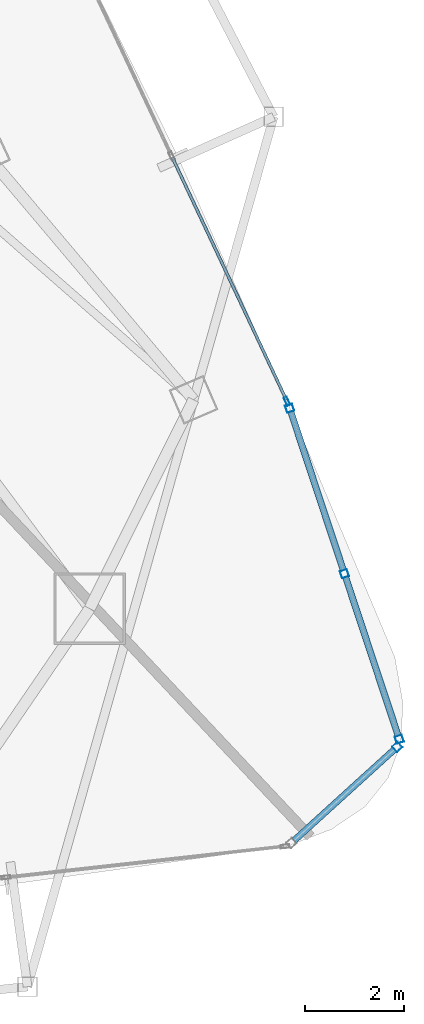
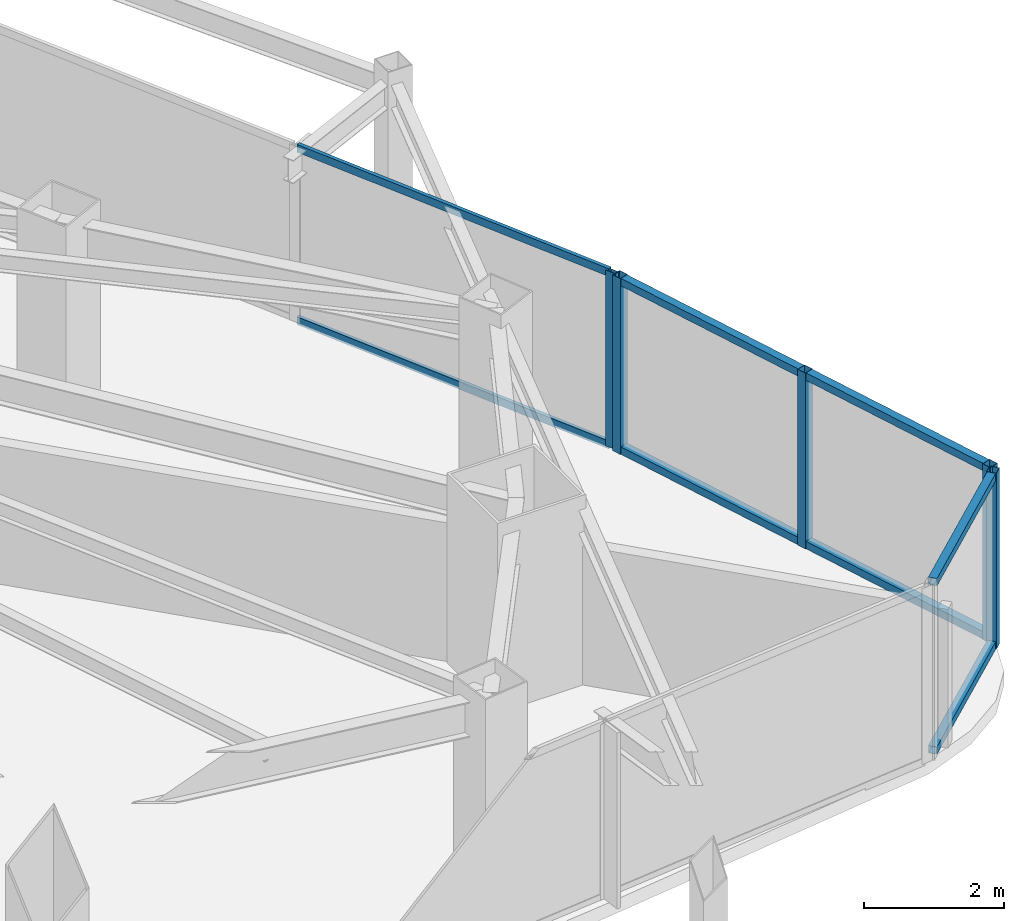
# One storey, part 16 of 31: 13 members, 3 elements without a shape of their own.
"""IFC4 building model written with IfcOpenShell, lengths in metres."""

from ifc_helpers import new_model, si_unit, direction, frame, origin, origin_2d, place, context, subcontext, project, spatial, hollow_rectangle, extrude, material, layer, layer_set, material_profile, profile_set, type_object, element, aggregate, save


model = new_model("IFC4")

# Units and contexts
model_context = context("Model", 3, precision=1e-05, world=origin(), true_north=direction((0.0, 1.0)))
body_context = subcontext(model_context, "Body", "Model", "MODEL_VIEW")
ifc_project = project(units=[si_unit("LENGTHUNIT", "METRE"), si_unit("AREAUNIT", "SQUARE_METRE"), si_unit("VOLUMEUNIT", "CUBIC_METRE"), si_unit("PLANEANGLEUNIT", "RADIAN"), si_unit("MASSUNIT", "GRAM", prefix="KILO")], contexts=[model_context])

# Site, building, storey
site_placement = place(None, origin())
site = spatial("IfcSite", under=ifc_project, at=site_placement, CompositionType="ELEMENT")
building_placement = place(site_placement, origin())
building = spatial("IfcBuilding", under=site, at=building_placement, Name="Orvanel Arch Residences", CompositionType="ELEMENT")
storey_placement = place(building_placement, frame((0.0, 0.0, 153.949951171875)))
storey = spatial("IfcBuildingStorey", under=building, at=storey_placement, Name="L43", CompositionType="ELEMENT", Elevation=153.949951171875)

# Curtain wall, member
ifc_material = material(Name="Bronze-anodised aluminium AA6063-T6", Category="aluminium")
ifc_layer_1 = layer(ifc_material, 0.18994140625)
ifc_layer_set_1 = layer_set([ifc_layer_1], Name="Bronze-anodised aluminium AA6063-T6")
curtain_wall_type_1 = type_object("IfcCurtainWallType", Name="CW5-CRN-SYS", PredefinedType="NOTDEFINED", material=ifc_layer_set_1)
curtain_wall_1_placement = place(storey_placement, origin())
curtain_wall_1 = element("IfcCurtainWall", 1, at=curtain_wall_1_placement, inside=storey, type_object=curtain_wall_type_1, Name="L43 CW5-CRN-SYS Unitised Curtain Wall", PredefinedType="NOTDEFINED")
ifc_material_profile_1 = material_profile(ifc_material, hollow_rectangle(XDim=0.14990234375, YDim=0.14990234375, WallThickness=0.0048828125, at=origin_2d()), Name="ALU150x150x5")
ifc_profile_set_1 = profile_set([ifc_material_profile_1], Name="Bronze-anodised aluminium AA6063-T6")
member_type_1 = type_object("IfcMemberType", Name="MUL-150x150", PredefinedType="MULLION", material=ifc_profile_set_1)
member_1_placement = place(storey_placement, frame((58.032470703125, 7.552490234375, 0.0), z_axis=(0.0, 0.0, 1.0), x_axis=(-0.672329748621, 0.740251787651, 0.0)))
member_1 = element("IfcMember", 2, at=member_1_placement, type_object=member_type_1, Name="CW-S5 mullion 2", PredefinedType="MULLION", context=body_context, shape_type="SweptSolid", body=[
    extrude(hollow_rectangle(XDim=0.14990234375, YDim=0.14990234375, WallThickness=0.0048828125, at=origin_2d()), origin(), (0.0, 0.0, 1.0), 3.06005859375),
])

# Curtain wall, members
curtain_wall_2_placement = place(storey_placement, origin())
curtain_wall_2 = element("IfcCurtainWall", 3, at=curtain_wall_2_placement, inside=storey, type_object=curtain_wall_type_1, Name="L43 CW5-CRN-SYS Unitised Curtain Wall", PredefinedType="NOTDEFINED")
member_2_placement = place(storey_placement, frame((58.073486328125, 7.706298828125, 0.0), z_axis=(0.0, 0.0, 1.0), x_axis=(-0.949264059882, -0.314480118, 0.0)))
member_2 = element("IfcMember", 4, at=member_2_placement, type_object=member_type_1, Name="CW-S5 mullion 1", PredefinedType="MULLION", context=body_context, shape_type="SweptSolid", body=[
    extrude(hollow_rectangle(XDim=0.14990234375, YDim=0.14990234375, WallThickness=0.0048828125, at=origin_2d()), origin(), (0.0, 0.0, 1.0), 3.06005859375),
])
member_3_placement = place(storey_placement, frame((56.962890625, 11.05810546875, 0.0), z_axis=(0.0, 0.0, 1.0), x_axis=(-0.949264059882, -0.314480118, 0.0)))
member_3 = element("IfcMember", 5, at=member_3_placement, type_object=member_type_1, Name="CW-S5 mullion 2", PredefinedType="MULLION", context=body_context, shape_type="SweptSolid", body=[
    extrude(hollow_rectangle(XDim=0.14990234375, YDim=0.14990234375, WallThickness=0.0048828125, at=origin_2d()), origin(), (0.0, 0.0, 1.0), 3.06005859375),
])
member_4_placement = place(storey_placement, frame((55.8525390625, 14.409912109375, 0.0), z_axis=(0.0, 0.0, 1.0), x_axis=(-0.949264059882, -0.314480118, 0.0)))
member_4 = element("IfcMember", 6, at=member_4_placement, type_object=member_type_1, Name="CW-S5 mullion 3", PredefinedType="MULLION", context=body_context, shape_type="SweptSolid", body=[
    extrude(hollow_rectangle(XDim=0.14990234375, YDim=0.14990234375, WallThickness=0.0048828125, at=origin_2d()), origin(), (0.0, 0.0, 1.0), 3.06005859375),
])

# Curtain wall, member
ifc_layer_2 = layer(ifc_material, 0.179931640625)
ifc_layer_set_2 = layer_set([ifc_layer_2], Name="Bronze-anodised aluminium AA6063-T6")
curtain_wall_type_2 = type_object("IfcCurtainWallType", Name="CW3-MID-SYS", PredefinedType="NOTDEFINED", material=ifc_layer_set_2)
curtain_wall_3_placement = place(storey_placement, origin())
curtain_wall_3 = element("IfcCurtainWall", 7, at=curtain_wall_3_placement, inside=storey, type_object=curtain_wall_type_2, Name="L43 CW3-MID-SYS Unitised Curtain Wall", PredefinedType="NOTDEFINED")
ifc_material_profile_2 = material_profile(ifc_material, hollow_rectangle(XDim=0.070068359375, YDim=0.179931640625, WallThickness=0.00439453125, at=origin_2d()), Name="ALU180x70x4.5")
ifc_profile_set_2 = profile_set([ifc_material_profile_2], Name="Bronze-anodised aluminium AA6063-T6")
member_type_2 = type_object("IfcMemberType", Name="MUL-180x70", PredefinedType="MULLION", material=ifc_profile_set_2)
member_5_placement = place(storey_placement, frame((55.799072265625, 14.549560546875, 0.0), z_axis=(0.0, 0.0, 1.0), x_axis=(-0.90490897961, -0.425605144026, 0.0)))
member_5 = element("IfcMember", 8, at=member_5_placement, type_object=member_type_2, Name="CW-S3 mullion 1", PredefinedType="MULLION", context=body_context, shape_type="SweptSolid", body=[
    extrude(hollow_rectangle(XDim=0.070068359375, YDim=0.179931640625, WallThickness=0.00439453125, at=origin_2d()), origin(), (0.0, 0.0, 1.0), 3.06005859375),
])

# Member
ifc_material_profile_3 = material_profile(ifc_material, hollow_rectangle(XDim=0.1298828125, YDim=0.1298828125, WallThickness=0.00439453125, at=origin_2d()), Name="ALU130x130x4.5")
ifc_profile_set_3 = profile_set([ifc_material_profile_3], Name="Bronze-anodised aluminium AA6063-T6")
member_type_3 = type_object("IfcMemberType", Name="TRN-130x130", PredefinedType="USERDEFINED", material=ifc_profile_set_3)
member_6_placement = place(storey_placement, frame((55.943115234375, 5.65478515625, 0.06494140625), z_axis=(0.740233498965, 0.672349884368, 0.0), x_axis=(-0.672349884368, 0.740233498965, 0.0)))
member_6 = element("IfcMember", 9, at=member_6_placement, type_object=member_type_3, Name="CW-S5 transom 1.1", ObjectType="TRANSOM", PredefinedType="USERDEFINED", context=body_context, shape_type="SweptSolid", body=[
    extrude(hollow_rectangle(XDim=0.1298828125, YDim=0.1298828125, WallThickness=0.00439453125, at=origin_2d()), origin(), (0.0, 0.0, 1.0), 2.747802734375),
])

member_7_placement = place(storey_placement, frame((55.943115234375, 5.65478515625, 2.9951171875), z_axis=(0.740233498965, 0.672349884368, 0.0), x_axis=(-0.672349884368, 0.740233498965, 0.0)))
member_7 = element("IfcMember", 10, at=member_7_placement, type_object=member_type_3, Name="CW-S5 transom 1.2", ObjectType="TRANSOM", PredefinedType="USERDEFINED", context=body_context, shape_type="SweptSolid", body=[
    extrude(hollow_rectangle(XDim=0.1298828125, YDim=0.1298828125, WallThickness=0.00439453125, at=origin_2d()), origin(), (0.0, 0.0, 1.0), 2.747802734375),
])

aggregate(curtain_wall_1, [member_1, member_6, member_7])

member_8_placement = place(storey_placement, frame((58.0498046875, 7.77734375, 0.06494140625), z_axis=(-0.314472533354, 0.949266572553, 0.0), x_axis=(-0.949266572553, -0.314472533354, 0.0)))
member_8 = element("IfcMember", 11, at=member_8_placement, type_object=member_type_3, Name="CW-S5 transom 1.1", ObjectType="TRANSOM", PredefinedType="USERDEFINED", context=body_context, shape_type="SweptSolid", body=[
    extrude(hollow_rectangle(XDim=0.1298828125, YDim=0.1298828125, WallThickness=0.00439453125, at=origin_2d()), origin(), (0.0, 0.0, 1.0), 3.381103515625),
])

member_9_placement = place(storey_placement, frame((58.0498046875, 7.77734375, 2.9951171875), z_axis=(-0.314472533354, 0.949266572553, 0.0), x_axis=(-0.949266572553, -0.314472533354, 0.0)))
member_9 = element("IfcMember", 12, at=member_9_placement, type_object=member_type_3, Name="CW-S5 transom 1.2", ObjectType="TRANSOM", PredefinedType="USERDEFINED", context=body_context, shape_type="SweptSolid", body=[
    extrude(hollow_rectangle(XDim=0.1298828125, YDim=0.1298828125, WallThickness=0.00439453125, at=origin_2d()), origin(), (0.0, 0.0, 1.0), 3.381103515625),
])

member_10_placement = place(storey_placement, frame((56.939453125, 11.129150390625, 0.06494140625), z_axis=(-0.314472533354, 0.949266572553, 0.0), x_axis=(-0.949266572553, -0.314472533354, 0.0)))
member_10 = element("IfcMember", 13, at=member_10_placement, type_object=member_type_3, Name="CW-S5 transom 2.1", ObjectType="TRANSOM", PredefinedType="USERDEFINED", context=body_context, shape_type="SweptSolid", body=[
    extrude(hollow_rectangle(XDim=0.1298828125, YDim=0.1298828125, WallThickness=0.00439453125, at=origin_2d()), origin(), (0.0, 0.0, 1.0), 3.381103515625),
])

member_11_placement = place(storey_placement, frame((56.939453125, 11.129150390625, 2.9951171875), z_axis=(-0.314472533354, 0.949266572553, 0.0), x_axis=(-0.949266572553, -0.314472533354, 0.0)))
member_11 = element("IfcMember", 14, at=member_11_placement, type_object=member_type_3, Name="CW-S5 transom 2.2", ObjectType="TRANSOM", PredefinedType="USERDEFINED", context=body_context, shape_type="SweptSolid", body=[
    extrude(hollow_rectangle(XDim=0.1298828125, YDim=0.1298828125, WallThickness=0.00439453125, at=origin_2d()), origin(), (0.0, 0.0, 1.0), 3.381103515625),
])

aggregate(curtain_wall_2, [member_2, member_3, member_4, member_8, member_9, member_10, member_11])

ifc_material_profile_4 = material_profile(ifc_material, hollow_rectangle(XDim=0.06005859375, YDim=0.135009765625, WallThickness=0.00390625, at=origin_2d()), Name="ALU135x60x4")
ifc_profile_set_4 = profile_set([ifc_material_profile_4], Name="Bronze-anodised aluminium AA6063-T6")
member_type_4 = type_object("IfcMemberType", Name="TRN-135x60", PredefinedType="USERDEFINED", material=ifc_profile_set_4)
member_12_placement = place(storey_placement, frame((55.7841796875, 14.581298828125, 0.030029296875), z_axis=(-0.425575618732, 0.90492286563, 0.0), x_axis=(-0.90492286563, -0.425575618732, 0.0)))
member_12 = element("IfcMember", 15, at=member_12_placement, type_object=member_type_4, Name="CW-S3 transom 1.1", ObjectType="TRANSOM", PredefinedType="USERDEFINED", context=body_context, shape_type="SweptSolid", body=[
    extrude(hollow_rectangle(XDim=0.06005859375, YDim=0.135009765625, WallThickness=0.00390625, at=origin_2d()), origin(), (0.0, 0.0, 1.0), 5.41650390625),
])

member_13_placement = place(storey_placement, frame((55.7841796875, 14.581298828125, 3.030029296875), z_axis=(-0.425575618732, 0.90492286563, 0.0), x_axis=(-0.90492286563, -0.425575618732, 0.0)))
member_13 = element("IfcMember", 16, at=member_13_placement, type_object=member_type_4, Name="CW-S3 transom 1.2", ObjectType="TRANSOM", PredefinedType="USERDEFINED", context=body_context, shape_type="SweptSolid", body=[
    extrude(hollow_rectangle(XDim=0.06005859375, YDim=0.135009765625, WallThickness=0.00390625, at=origin_2d()), origin(), (0.0, 0.0, 1.0), 5.41650390625),
])

aggregate(curtain_wall_3, [member_5, member_12, member_13])

save(model, "model.ifc")
